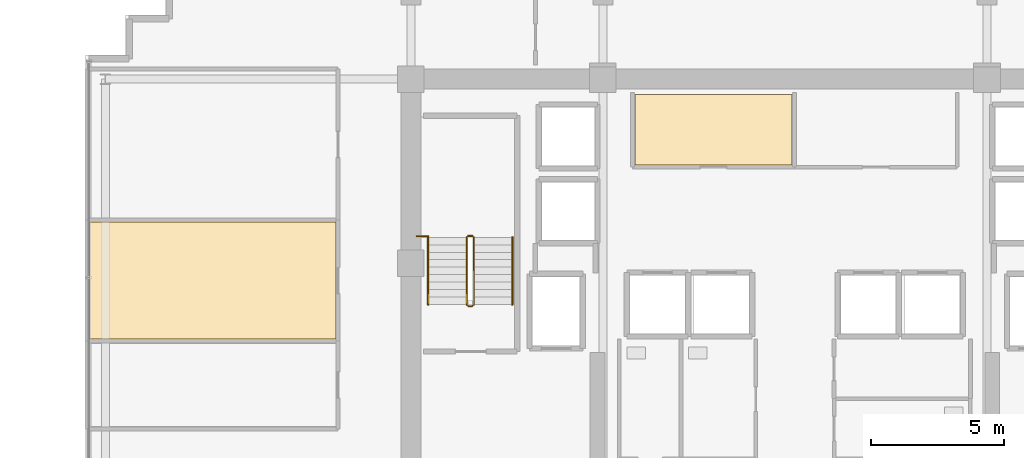
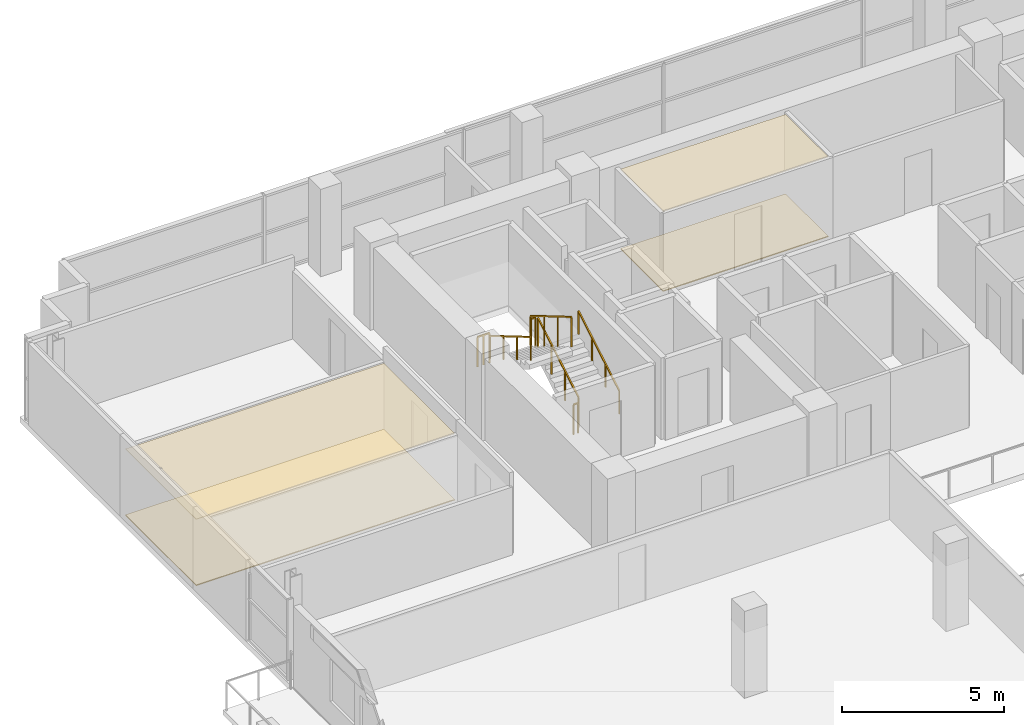
# One storey, part 19 of 21: 7 railings, 4 coverings.
"""IFC4 building model written with IfcOpenShell, lengths in metres."""

from ifc_helpers import new_model, si_unit, direction, frame, origin, origin_2d, place, context, subcontext, project, spatial, polyline, rectangle, outline, extrude, material, layer, layer_set, type_object, element, save


model = new_model("IFC4")

# Units and contexts
model_context = context("Model", 3, precision=1e-05, world=origin(), true_north=direction((0.0, 1.0)))
body_context = subcontext(model_context, "Body", "Model", "MODEL_VIEW")
ifc_project = project(units=[si_unit("LENGTHUNIT", "METRE"), si_unit("AREAUNIT", "SQUARE_METRE"), si_unit("VOLUMEUNIT", "CUBIC_METRE"), si_unit("PLANEANGLEUNIT", "RADIAN"), si_unit("MASSUNIT", "GRAM", prefix="KILO")], contexts=[model_context])

# Site, building, storey
site_placement = place(None, origin())
site = spatial("IfcSite", under=ifc_project, at=site_placement, CompositionType="ELEMENT")
building_placement = place(site_placement, origin())
building = spatial("IfcBuilding", under=site, at=building_placement, Name="Zarnakvel Exchange Tower", CompositionType="ELEMENT")
storey_placement = place(building_placement, frame((0.0, 0.0, 152.800048828125)))
storey = spatial("IfcBuildingStorey", under=building, at=storey_placement, Name="L42", CompositionType="ELEMENT", Elevation=152.800048828125)

# Coverings
ifc_material_1 = material(Name="Perforated Bronze Acoustic Metal Ceiling", Category="aluminium")
ifc_layer_1 = layer(ifc_material_1, 0.02001953125)
ifc_layer_set_1 = layer_set([ifc_layer_1], Name="Perforated Bronze Acoustic Metal Ceiling")
covering_type_1 = type_object("IfcCoveringType", Name="CLG-01", PredefinedType="CEILING", material=ifc_layer_set_1)
covering_1_placement = place(storey_placement, frame((0.0, 0.0, 3.014892578125)))
element("IfcCovering", 1, at=covering_1_placement, inside=storey, type_object=covering_type_1, Name="L42 Suspended Acoustic Ceiling (Settlement Records Suite)", PredefinedType="CEILING", context=body_context, shape_type="SweptSolid", body=[
    extrude(outline(polyline([(-6.0, 12.919921875), (-0.10009765625, 12.919921875), (-0.10009765625, 10.280029296875), (-6.0, 10.280029296875), (-6.0, 12.919921875)])), origin(), (0.0, 0.0, 1.0), 0.02001953125),
])
covering_2_placement = place(storey_placement, frame((0.0, 0.0, 2.5048828125)))
element("IfcCovering", 2, at=covering_2_placement, inside=storey, type_object=covering_type_1, Name="L42 Suspended Acoustic Ceiling (Settlement Office)", PredefinedType="CEILING", context=body_context, shape_type="SweptSolid", body=[
    extrude(outline(polyline([(-26.449951171875, 8.13623046875), (-17.2099609375, 8.13623046875), (-17.2099609375, 3.75830078125), (-26.449951171875, 3.75830078125), (-26.449951171875, 8.13623046875)])), origin(), (0.0, 0.0, 1.0), 0.02001953125),
])
ifc_material_2 = material(Name="Heavy-Duty Raised Access Floor Panel", Category="steel")
ifc_layer_2 = layer(ifc_material_2, 0.034912109375)
ifc_layer_set_2 = layer_set([ifc_layer_2], Name="Heavy-Duty Raised Access Floor Panel")
covering_type_2 = type_object("IfcCoveringType", Name="FLR-02", PredefinedType="FLOORING", material=ifc_layer_set_2)
covering_3_placement = place(storey_placement, origin())
element("IfcCovering", 3, at=covering_3_placement, inside=storey, type_object=covering_type_2, Name="L42 Floor Finish (Settlement Records Suite)", PredefinedType="FLOORING", context=body_context, shape_type="SweptSolid", body=[
    extrude(outline(polyline([(-6.0, 12.919921875), (-0.10009765625, 12.919921875), (-0.10009765625, 10.280029296875), (-6.0, 10.280029296875), (-6.0, 12.919921875)])), origin(), (0.0, 0.0, 1.0), 0.034912109375),
])
covering_4_placement = place(storey_placement, origin())
element("IfcCovering", 4, at=covering_4_placement, inside=storey, type_object=covering_type_2, Name="L42 Floor Finish (Settlement Office)", PredefinedType="FLOORING", context=body_context, shape_type="SweptSolid", body=[
    extrude(outline(polyline([(-26.449951171875, 8.13623046875), (-17.2099609375, 8.13623046875), (-17.2099609375, 3.75830078125), (-26.449951171875, 3.75830078125), (-26.449951171875, 8.13623046875)])), origin(), (0.0, 0.0, 1.0), 0.034912109375),
])

# Railings
ifc_material_3 = material(Name="Brushed Stainless Steel", Category="steel")
railing_type_1 = type_object("IfcRailingType", Name="HR-01", PredefinedType="HANDRAIL", material=ifc_material_3)
railing_1_placement = place(storey_placement, frame((-10.590087890625, 5.050048828125, 0.1650390625)))
element("IfcRailing", 5, at=railing_1_placement, inside=storey, type_object=railing_type_1, Name="L42 ST-01 stair handrail 1", PredefinedType="HANDRAIL", context=body_context, shape_type="SweptSolid", body=[
    extrude(rectangle(XDim=0.048095703125, YDim=0.048095703125, at=origin_2d()), frame((0.0, 0.0, 0.8759765625), z_axis=(0.0, 0.861560626758, 0.507654692109), x_axis=(-1.0, 0.0, 0.0)), (0.0, 0.0, 1.0), 2.925048828125),
    extrude(rectangle(XDim=0.0419921875, YDim=0.0419921875, at=origin_2d()), origin(), (0.0, 0.0, 1.0), 0.851806640625),
    extrude(rectangle(XDim=0.0419921875, YDim=0.0419921875, at=origin_2d()), frame((0.0, 0.840087890625, 0.494873046875)), (0.0, 0.0, 1.0), 0.851806640625),
    extrude(rectangle(XDim=0.0419921875, YDim=0.0419921875, at=origin_2d()), frame((0.0, 1.679931640625, 0.989990234375)), (0.0, 0.0, 1.0), 0.851806640625),
    extrude(rectangle(XDim=0.0419921875, YDim=0.0419921875, at=origin_2d()), frame((0.0, 2.52001953125, 1.48486328125)), (0.0, 0.0, 1.0), 0.851806640625),
])
railing_2_placement = place(storey_placement, frame((-13.75, 7.570068359375, 1.81494140625)))
element("IfcRailing", 6, at=railing_2_placement, inside=storey, type_object=railing_type_1, Name="L42 ST-01 stair handrail 2", PredefinedType="HANDRAIL", context=body_context, shape_type="SweptSolid", body=[
    extrude(rectangle(XDim=0.048095703125, YDim=0.048095703125, at=origin_2d()), frame((0.0, 0.0, 0.8759765625), z_axis=(0.0, -0.86152411907, 0.507716645641), x_axis=(1.0, 0.0, 0.0)), (0.0, 0.0, 1.0), 2.925048828125),
    extrude(rectangle(XDim=0.0419921875, YDim=0.0419921875, at=origin_2d()), origin(), (0.0, 0.0, 1.0), 0.851806640625),
    extrude(rectangle(XDim=0.0419921875, YDim=0.0419921875, at=origin_2d()), frame((0.0, -0.840087890625, 0.4951171875)), (0.0, 0.0, 1.0), 0.851806640625),
    extrude(rectangle(XDim=0.0419921875, YDim=0.0419921875, at=origin_2d()), frame((0.0, -1.679931640625, 0.989990234375)), (0.0, 0.0, 1.0), 0.851806640625),
    extrude(rectangle(XDim=0.0419921875, YDim=0.0419921875, at=origin_2d()), frame((0.0, -2.52001953125, 1.485107421875)), (0.0, 0.0, 1.0), 0.851806640625),
])
ifc_material_4 = material(Name="Architectural Bronze Anodised Aluminium", Category="aluminium")
railing_type_2 = type_object("IfcRailingType", Name="SG-01", PredefinedType="GUARDRAIL", material=ifc_material_4)
railing_3_placement = place(storey_placement, frame((-12.0400390625, 5.050048828125, 0.1650390625)))
element("IfcRailing", 7, at=railing_3_placement, inside=storey, type_object=railing_type_2, Name="L42 ST-01 stair guard 1", PredefinedType="GUARDRAIL", context=body_context, shape_type="SweptSolid", body=[
    extrude(rectangle(XDim=0.048095703125, YDim=0.048095703125, at=origin_2d()), frame((0.0, 0.0, 1.1259765625), z_axis=(0.0, 0.861560626758, 0.507654692109), x_axis=(-1.0, 0.0, 0.0)), (0.0, 0.0, 1.0), 2.925048828125),
    extrude(rectangle(XDim=0.0419921875, YDim=0.0419921875, at=origin_2d()), origin(), (0.0, 0.0, 1.0), 1.101806640625),
    extrude(rectangle(XDim=0.0419921875, YDim=0.0419921875, at=origin_2d()), frame((0.0, 0.840087890625, 0.494873046875)), (0.0, 0.0, 1.0), 1.101806640625),
    extrude(rectangle(XDim=0.0419921875, YDim=0.0419921875, at=origin_2d()), frame((0.0, 1.679931640625, 0.989990234375)), (0.0, 0.0, 1.0), 1.101806640625),
    extrude(rectangle(XDim=0.0419921875, YDim=0.0419921875, at=origin_2d()), frame((0.0, 2.52001953125, 1.48486328125)), (0.0, 0.0, 1.0), 1.101806640625),
])
railing_4_placement = place(storey_placement, frame((-12.090087890625, 7.6201171875, 1.64990234375)))
element("IfcRailing", 8, at=railing_4_placement, inside=storey, type_object=railing_type_2, Name="L42 ST-01 stair guard 2", PredefinedType="GUARDRAIL", context=body_context, shape_type="SweptSolid", body=[
    extrude(rectangle(XDim=0.048095703125, YDim=0.048095703125, at=origin_2d()), frame((0.0, 0.0, 1.1259765625), z_axis=(-1.0, 0.0, 0.0), x_axis=(0.0, -1.0, 0.0)), (0.0, 0.0, 1.0), 0.159912109375),
    extrude(rectangle(XDim=0.0419921875, YDim=0.0419921875, at=origin_2d()), origin(), (0.0, 0.0, 1.0), 1.101806640625),
    extrude(rectangle(XDim=0.0419921875, YDim=0.0419921875, at=origin_2d()), frame((-0.159912109375, 0.0, 0.0)), (0.0, 0.0, 1.0), 1.101806640625),
])
railing_5_placement = place(storey_placement, frame((-12.300048828125, 7.570068359375, 1.81494140625)))
element("IfcRailing", 9, at=railing_5_placement, inside=storey, type_object=railing_type_2, Name="L42 ST-01 stair guard 3", PredefinedType="GUARDRAIL", context=body_context, shape_type="SweptSolid", body=[
    extrude(rectangle(XDim=0.048095703125, YDim=0.048095703125, at=origin_2d()), frame((0.0, 0.0, 1.1259765625), z_axis=(0.0, -0.86152411907, 0.507716645641), x_axis=(1.0, 0.0, 0.0)), (0.0, 0.0, 1.0), 2.925048828125),
    extrude(rectangle(XDim=0.0419921875, YDim=0.0419921875, at=origin_2d()), origin(), (0.0, 0.0, 1.0), 1.101806640625),
    extrude(rectangle(XDim=0.0419921875, YDim=0.0419921875, at=origin_2d()), frame((0.0, -0.840087890625, 0.4951171875)), (0.0, 0.0, 1.0), 1.101806640625),
    extrude(rectangle(XDim=0.0419921875, YDim=0.0419921875, at=origin_2d()), frame((0.0, -1.679931640625, 0.989990234375)), (0.0, 0.0, 1.0), 1.101806640625),
    extrude(rectangle(XDim=0.0419921875, YDim=0.0419921875, at=origin_2d()), frame((0.0, -2.52001953125, 1.485107421875)), (0.0, 0.0, 1.0), 1.101806640625),
])
railing_6_placement = place(storey_placement, frame((-12.090087890625, 5.0, 0.0)))
element("IfcRailing", 10, at=railing_6_placement, inside=storey, type_object=railing_type_2, Name="L42 ST-01 stair guard 4", PredefinedType="GUARDRAIL", context=body_context, shape_type="SweptSolid", body=[
    extrude(rectangle(XDim=0.048095703125, YDim=0.048095703125, at=origin_2d()), frame((0.0, 0.0, 1.1259765625), z_axis=(-1.0, 0.0, 0.0), x_axis=(0.0, -1.0, 0.0)), (0.0, 0.0, 1.0), 0.159912109375),
    extrude(rectangle(XDim=0.0419921875, YDim=0.0419921875, at=origin_2d()), origin(), (0.0, 0.0, 1.0), 1.101806640625),
    extrude(rectangle(XDim=0.0419921875, YDim=0.0419921875, at=origin_2d()), frame((-0.159912109375, 0.0, 0.0)), (0.0, 0.0, 1.0), 1.101806640625),
])
railing_7_placement = place(storey_placement, frame((-14.179931640625, 7.610107421875, 1.64990234375)))
element("IfcRailing", 11, at=railing_7_placement, inside=storey, type_object=railing_type_2, Name="L42 ST-01 Landing Slot Guardrail", PredefinedType="GUARDRAIL", context=body_context, shape_type="SweptSolid", body=[
    extrude(rectangle(XDim=0.048095703125, YDim=0.048095703125, at=origin_2d()), frame((0.0, 0.0, 1.1259765625), z_axis=(1.0, 0.0, 0.0), x_axis=(0.0, 1.0, 0.0)), (0.0, 0.0, 1.0), 0.429931640625),
    extrude(rectangle(XDim=0.0419921875, YDim=0.0419921875, at=origin_2d()), origin(), (0.0, 0.0, 1.0), 1.101806640625),
    extrude(rectangle(XDim=0.0419921875, YDim=0.0419921875, at=origin_2d()), frame((0.21484375, 0.0, 0.0)), (0.0, 0.0, 1.0), 1.101806640625),
    extrude(rectangle(XDim=0.0419921875, YDim=0.0419921875, at=origin_2d()), frame((0.429931640625, 0.0, 0.0)), (0.0, 0.0, 1.0), 1.101806640625),
])

save(model, "model.ifc")
